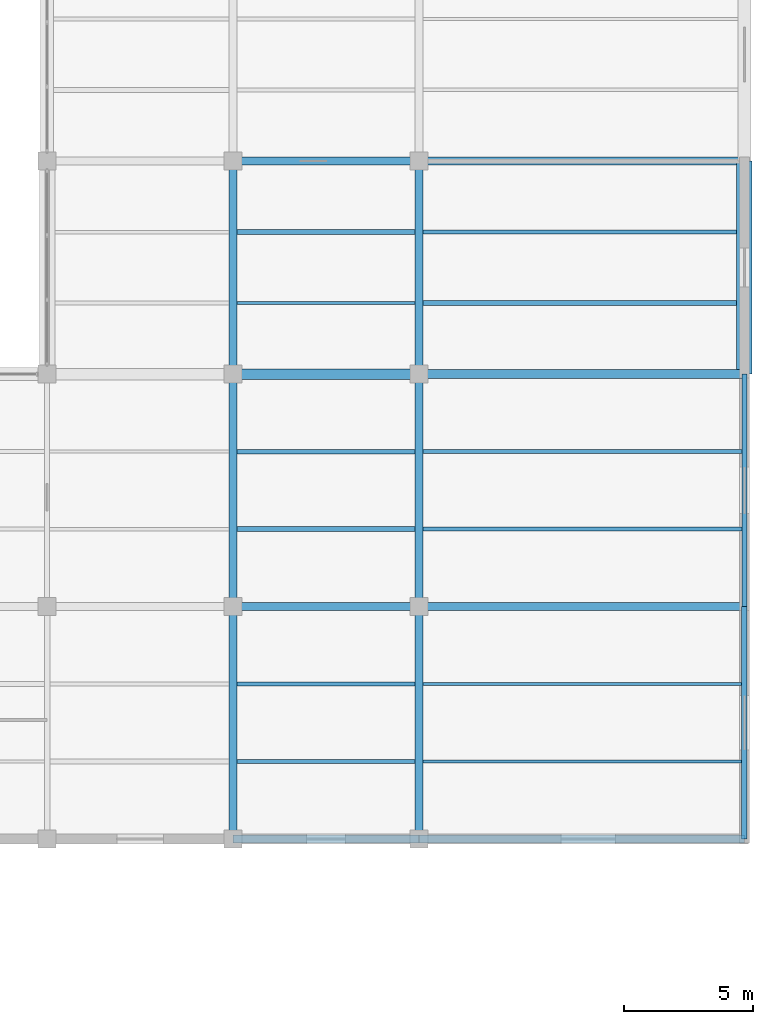
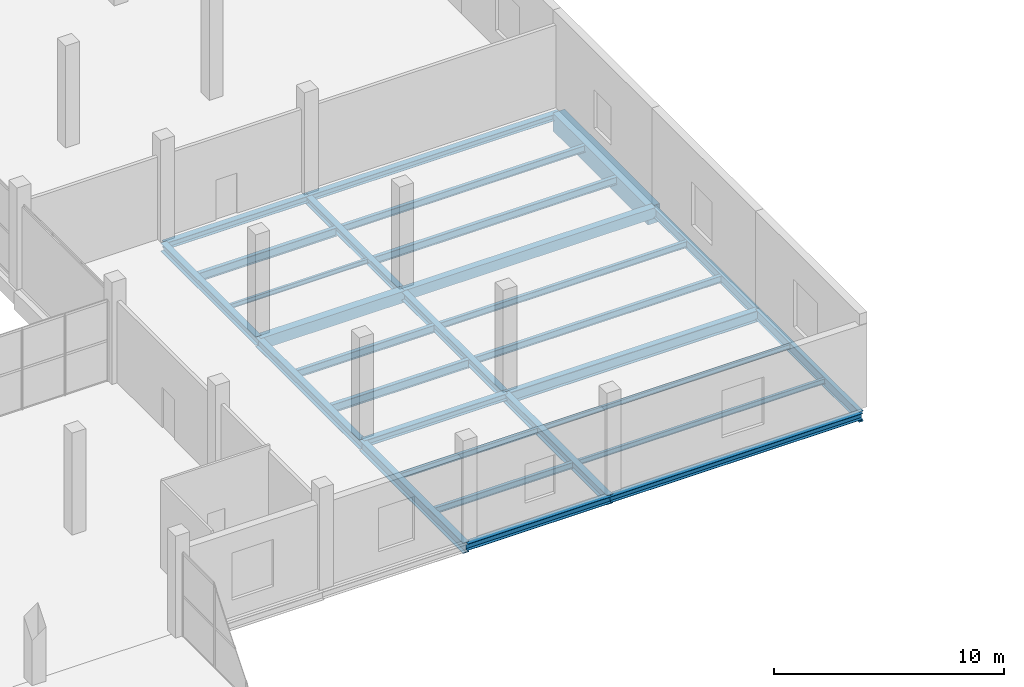
# One storey, part 106 of 147: 29 beams.
"""IFC4 building model written with IfcOpenShell, lengths in metres."""

from ifc_helpers import new_model, si_unit, direction, frame, origin, origin_2d, place, context, subcontext, project, spatial, rectangle, i_section, extrude, material, material_profile, profile_set, type_object, element, save


model = new_model("IFC4")

# Units and contexts
model_context = context("Model", 3, precision=1e-05, world=origin(), true_north=direction((0.0, 1.0)))
body_context = subcontext(model_context, "Body", "Model", "MODEL_VIEW")
ifc_project = project(units=[si_unit("LENGTHUNIT", "METRE"), si_unit("AREAUNIT", "SQUARE_METRE"), si_unit("VOLUMEUNIT", "CUBIC_METRE"), si_unit("PLANEANGLEUNIT", "RADIAN"), si_unit("MASSUNIT", "GRAM", prefix="KILO")], contexts=[model_context])

# Site, building, storey
site_placement = place(None, origin())
site = spatial("IfcSite", under=ifc_project, at=site_placement, CompositionType="ELEMENT")
building_placement = place(site_placement, origin())
building = spatial("IfcBuilding", under=site, at=building_placement, Name="Sundgate Opera House", CompositionType="ELEMENT")
storey_placement = place(building_placement, frame((0.0, 0.0, 6.0)))
storey = spatial("IfcBuildingStorey", under=building, at=storey_placement, Name="L01", CompositionType="ELEMENT", Elevation=6.0)

# Beams
ifc_material_1 = material(Name="Steel S355J2", Category="steel")
ifc_material_profile_1 = material_profile(ifc_material_1, i_section(OverallWidth=0.300048828125, OverallDepth=0.330078125, WebThickness=0.009521484375, FlangeThickness=0.0166015625, at=origin_2d()), Name="HEA 340")
ifc_profile_set_1 = profile_set([ifc_material_profile_1], Name="Steel S355J2")
beam_type_1 = type_object("IfcBeamType", Name="BM-GR-HEA340", PredefinedType="BEAM", material=ifc_profile_set_1)
for number, where, z_axis, x_axis, name in (
    (1, (167.39990234375, 69.0, -0.465087890625), (1.0, 0.0, 0.0), (0.0, 1.0, 0.0), "L01 Primary E-W Girder B1371"),
    (2, (167.39990234375, 95.25, -0.465087890625), (1.0, 0.0, 0.0), (0.0, 1.0, 0.0), "L01 Primary E-W Girder B1415"),
):
    element("IfcBeam", number, at=place(storey_placement, frame(where, z_axis=z_axis, x_axis=x_axis)), inside=storey, type_object=beam_type_1, Name=name, PredefinedType="BEAM", context=body_context, shape_type="SweptSolid", body=[
        extrude(i_section(OverallWidth=0.300048828125, OverallDepth=0.330078125, WebThickness=0.009521484375, FlangeThickness=0.0166015625, at=origin_2d()), origin(), (0.0, 0.0, 1.0), 12.60009765625),
    ])
ifc_material_2 = material(Name="Steel S355J2", Category="steel")
ifc_material_profile_2 = material_profile(ifc_material_2, i_section(OverallWidth=0.300048828125, OverallDepth=0.35009765625, WebThickness=0.010009765625, FlangeThickness=0.017578125, at=origin_2d()), Name="HEA 360")
ifc_profile_set_2 = profile_set([ifc_material_profile_2], Name="Steel S355J2")
beam_type_2 = type_object("IfcBeamType", Name="BM-GR-HEA360", PredefinedType="BEAM", material=ifc_profile_set_2)
for number, where, z_axis, x_axis, name in (
    (3, (160.199951171875, 69.0, -0.47509765625), (1.0, 0.0, 0.0), (0.0, 1.0, 0.0), "L01 Primary E-W Girder B1370"),
    (4, (160.199951171875, 95.25, -0.47509765625), (1.0, 0.0, 0.0), (0.0, 1.0, 0.0), "L01 Primary E-W Girder B1414"),
):
    element("IfcBeam", number, at=place(storey_placement, frame(where, z_axis=z_axis, x_axis=x_axis)), inside=storey, type_object=beam_type_2, Name=name, PredefinedType="BEAM", context=body_context, shape_type="SweptSolid", body=[
        extrude(i_section(OverallWidth=0.300048828125, OverallDepth=0.35009765625, WebThickness=0.010009765625, FlangeThickness=0.017578125, at=origin_2d()), origin(), (0.0, 0.0, 1.0), 7.199951171875),
    ])
ifc_material_3 = material(Name="Steel S355J2", Category="steel")
ifc_material_profile_3 = material_profile(ifc_material_3, i_section(OverallWidth=0.300048828125, OverallDepth=0.389892578125, WebThickness=0.010986328125, FlangeThickness=0.01904296875, at=origin_2d()), Name="HEA 400")
ifc_profile_set_3 = profile_set([ifc_material_profile_3], Name="Steel S355J2")
beam_type_3 = type_object("IfcBeamType", Name="BM-GR-HEA400", PredefinedType="BEAM", material=ifc_profile_set_3)
beam_1_placement = place(storey_placement, frame((167.39990234375, 87.0, -0.4951171875), z_axis=(0.0, 1.0, 0.0), x_axis=(-1.0, 0.0, 0.0)))
element("IfcBeam", 5, at=beam_1_placement, inside=storey, type_object=beam_type_3, Name="L01 Primary N-S Girder B1259", PredefinedType="BEAM", context=body_context, shape_type="SweptSolid", body=[
    extrude(i_section(OverallWidth=0.300048828125, OverallDepth=0.389892578125, WebThickness=0.010986328125, FlangeThickness=0.01904296875, at=origin_2d()), origin(), (0.0, 0.0, 1.0), 8.25),
])
ifc_material_4 = material(Name="Steel S355J2", Category="steel")
ifc_material_profile_4 = material_profile(ifc_material_4, i_section(OverallWidth=0.300048828125, OverallDepth=0.43994140625, WebThickness=0.011474609375, FlangeThickness=0.02099609375, at=origin_2d()), Name="HEA 450")
ifc_profile_set_4 = profile_set([ifc_material_profile_4], Name="Steel S355J2")
beam_type_4 = type_object("IfcBeamType", Name="BM-GR-HEA450", PredefinedType="BEAM", material=ifc_profile_set_4)
beam_2_placement = place(storey_placement, frame((167.39990234375, 78.0, -0.52001953125), z_axis=(0.0, 1.0, 0.0), x_axis=(-1.0, 0.0, 0.0)))
element("IfcBeam", 6, at=beam_2_placement, inside=storey, type_object=beam_type_4, Name="L01 Primary N-S Girder B1258", PredefinedType="BEAM", context=body_context, shape_type="SweptSolid", body=[
    extrude(i_section(OverallWidth=0.300048828125, OverallDepth=0.43994140625, WebThickness=0.011474609375, FlangeThickness=0.02099609375, at=origin_2d()), origin(), (0.0, 0.0, 1.0), 9.0),
])
ifc_material_5 = material(Name="Steel S355J2", Category="steel")
ifc_material_profile_5 = material_profile(ifc_material_5, i_section(OverallWidth=0.300048828125, OverallDepth=0.489990234375, WebThickness=0.011962890625, FlangeThickness=0.02294921875, at=origin_2d()), Name="HEA 500")
ifc_profile_set_5 = profile_set([ifc_material_profile_5], Name="Steel S355J2")
beam_type_5 = type_object("IfcBeamType", Name="BM-GR-HEA500", PredefinedType="BEAM", material=ifc_profile_set_5)
beam_3_placement = place(storey_placement, frame((167.39990234375, 69.0, -0.544921875), z_axis=(0.0, 1.0, 0.0), x_axis=(-1.0, 0.0, 0.0)))
element("IfcBeam", 7, at=beam_3_placement, inside=storey, type_object=beam_type_5, Name="L01 Primary N-S Girder B1257", PredefinedType="BEAM", context=body_context, shape_type="SweptSolid", body=[
    extrude(i_section(OverallWidth=0.300048828125, OverallDepth=0.489990234375, WebThickness=0.011962890625, FlangeThickness=0.02294921875, at=origin_2d()), origin(), (0.0, 0.0, 1.0), 9.0),
])
ifc_material_6 = material(Name="Steel S355J2", Category="steel")
ifc_material_profile_6 = material_profile(ifc_material_6, i_section(OverallWidth=0.300048828125, OverallDepth=0.590087890625, WebThickness=0.012939453125, FlangeThickness=0.02490234375, at=origin_2d()), Name="HEA 600")
ifc_profile_set_6 = profile_set([ifc_material_profile_6], Name="Steel S355J2")
beam_type_6 = type_object("IfcBeamType", Name="BM-GR-HEA600", PredefinedType="BEAM", material=ifc_profile_set_6)
beam_4_placement = place(storey_placement, frame((167.39990234375, 78.0, -0.594970703125), z_axis=(1.0, 0.0, 0.0), x_axis=(0.0, 1.0, 0.0)))
element("IfcBeam", 8, at=beam_4_placement, inside=storey, type_object=beam_type_6, Name="L01 Primary E-W Girder B1388", PredefinedType="BEAM", context=body_context, shape_type="SweptSolid", body=[
    extrude(i_section(OverallWidth=0.300048828125, OverallDepth=0.590087890625, WebThickness=0.012939453125, FlangeThickness=0.02490234375, at=origin_2d()), origin(), (0.0, 0.0, 1.0), 12.60009765625),
])
ifc_material_7 = material(Name="Steel S355J2", Category="steel")
ifc_material_profile_7 = material_profile(ifc_material_7, i_section(OverallWidth=0.300048828125, OverallDepth=0.360107421875, WebThickness=0.012451171875, FlangeThickness=0.0224609375, at=origin_2d()), Name="HEB 360")
ifc_profile_set_7 = profile_set([ifc_material_profile_7], Name="Steel S355J2")
beam_type_7 = type_object("IfcBeamType", Name="BM-GR-HEB360", PredefinedType="BEAM", material=ifc_profile_set_7)
beam_5_placement = place(storey_placement, frame((160.199951171875, 78.0, -0.47998046875), z_axis=(1.0, 0.0, 0.0), x_axis=(0.0, 1.0, 0.0)))
element("IfcBeam", 9, at=beam_5_placement, inside=storey, type_object=beam_type_7, Name="L01 Primary E-W Girder B1387", PredefinedType="BEAM", context=body_context, shape_type="SweptSolid", body=[
    extrude(i_section(OverallWidth=0.300048828125, OverallDepth=0.360107421875, WebThickness=0.012451171875, FlangeThickness=0.0224609375, at=origin_2d()), origin(), (0.0, 0.0, 1.0), 7.199951171875),
])
ifc_material_8 = material(Name="Steel S355J2", Category="steel")
ifc_material_profile_8 = material_profile(ifc_material_8, i_section(OverallWidth=0.300048828125, OverallDepth=0.449951171875, WebThickness=0.013916015625, FlangeThickness=0.02587890625, at=origin_2d()), Name="HEB 450")
ifc_profile_set_8 = profile_set([ifc_material_profile_8], Name="Steel S355J2")
beam_type_8 = type_object("IfcBeamType", Name="BM-GR-HEB450", PredefinedType="BEAM", material=ifc_profile_set_8)
beam_6_placement = place(storey_placement, frame((160.199951171875, 87.0, -0.52490234375), z_axis=(0.0, 1.0, 0.0), x_axis=(-1.0, 0.0, 0.0)))
element("IfcBeam", 10, at=beam_6_placement, inside=storey, type_object=beam_type_8, Name="L01 Primary N-S Girder B1253", PredefinedType="BEAM", context=body_context, shape_type="SweptSolid", body=[
    extrude(i_section(OverallWidth=0.300048828125, OverallDepth=0.449951171875, WebThickness=0.013916015625, FlangeThickness=0.02587890625, at=origin_2d()), origin(), (0.0, 0.0, 1.0), 8.25),
])
ifc_material_9 = material(Name="Steel S355J2", Category="steel")
ifc_material_profile_9 = material_profile(ifc_material_9, i_section(OverallWidth=0.300048828125, OverallDepth=0.5, WebThickness=0.014404296875, FlangeThickness=0.028076171875, at=origin_2d()), Name="HEB 500")
ifc_profile_set_9 = profile_set([ifc_material_profile_9], Name="Steel S355J2")
beam_type_9 = type_object("IfcBeamType", Name="BM-GR-HEB500", PredefinedType="BEAM", material=ifc_profile_set_9)
beam_7_placement = place(storey_placement, frame((160.199951171875, 78.0, -0.550048828125), z_axis=(0.0, 1.0, 0.0), x_axis=(-1.0, 0.0, 0.0)))
element("IfcBeam", 11, at=beam_7_placement, inside=storey, type_object=beam_type_9, Name="L01 Primary N-S Girder B1252", PredefinedType="BEAM", context=body_context, shape_type="SweptSolid", body=[
    extrude(i_section(OverallWidth=0.300048828125, OverallDepth=0.5, WebThickness=0.014404296875, FlangeThickness=0.028076171875, at=origin_2d()), origin(), (0.0, 0.0, 1.0), 9.0),
])
ifc_material_10 = material(Name="Steel S355J2", Category="steel")
ifc_material_profile_10 = material_profile(ifc_material_10, i_section(OverallWidth=0.300048828125, OverallDepth=0.550048828125, WebThickness=0.014892578125, FlangeThickness=0.029052734375, at=origin_2d()), Name="HEB 550")
ifc_profile_set_10 = profile_set([ifc_material_profile_10], Name="Steel S355J2")
beam_type_10 = type_object("IfcBeamType", Name="BM-GR-HEB550", PredefinedType="BEAM", material=ifc_profile_set_10)
beam_8_placement = place(storey_placement, frame((160.199951171875, 69.0, -0.574951171875), z_axis=(0.0, 1.0, 0.0), x_axis=(-1.0, 0.0, 0.0)))
element("IfcBeam", 12, at=beam_8_placement, inside=storey, type_object=beam_type_10, Name="L01 Primary N-S Girder B1251", PredefinedType="BEAM", context=body_context, shape_type="SweptSolid", body=[
    extrude(i_section(OverallWidth=0.300048828125, OverallDepth=0.550048828125, WebThickness=0.014892578125, FlangeThickness=0.029052734375, at=origin_2d()), origin(), (0.0, 0.0, 1.0), 9.0),
])
ifc_material_11 = material(Name="Steel S355J2", Category="steel")
ifc_material_profile_11 = material_profile(ifc_material_11, i_section(OverallWidth=0.199951171875, OverallDepth=0.5, WebThickness=0.01025390625, FlangeThickness=0.01611328125, at=origin_2d()), Name="IPE 500")
ifc_profile_set_11 = profile_set([ifc_material_profile_11], Name="Steel S355J2")
beam_type_11 = type_object("IfcBeamType", Name="BM-GR-IPE500", PredefinedType="BEAM", material=ifc_profile_set_11)
beam_9_placement = place(storey_placement, frame((180.0, 78.0, -0.550048828125), z_axis=(0.0, 1.0, 0.0), x_axis=(-1.0, 0.0, 0.0)))
element("IfcBeam", 13, at=beam_9_placement, inside=storey, type_object=beam_type_11, Name="L01 Primary N-S Girder B1264", PredefinedType="BEAM", context=body_context, shape_type="SweptSolid", body=[
    extrude(i_section(OverallWidth=0.199951171875, OverallDepth=0.5, WebThickness=0.01025390625, FlangeThickness=0.01611328125, at=origin_2d()), origin(), (0.0, 0.0, 1.0), 9.0),
])
ifc_material_12 = material(Name="Steel S355J2", Category="steel")
ifc_material_profile_12 = material_profile(ifc_material_12, i_section(OverallWidth=0.2099609375, OverallDepth=0.550048828125, WebThickness=0.010986328125, FlangeThickness=0.01708984375, at=origin_2d()), Name="IPE 550")
ifc_profile_set_12 = profile_set([ifc_material_profile_12], Name="Steel S355J2")
beam_type_12 = type_object("IfcBeamType", Name="BM-GR-IPE550", PredefinedType="BEAM", material=ifc_profile_set_12)
beam_10_placement = place(storey_placement, frame((180.0, 69.0, -0.574951171875), z_axis=(0.0, 1.0, 0.0), x_axis=(-1.0, 0.0, 0.0)))
element("IfcBeam", 14, at=beam_10_placement, inside=storey, type_object=beam_type_12, Name="L01 Primary N-S Girder B1263", PredefinedType="BEAM", context=body_context, shape_type="SweptSolid", body=[
    extrude(i_section(OverallWidth=0.2099609375, OverallDepth=0.550048828125, WebThickness=0.010986328125, FlangeThickness=0.01708984375, at=origin_2d()), origin(), (0.0, 0.0, 1.0), 9.0),
])
ifc_material_13 = material(Name="Steel S355J2", Category="steel")
ifc_material_profile_13 = material_profile(ifc_material_13, i_section(OverallWidth=0.1201171875, OverallDepth=0.239990234375, WebThickness=0.006103515625, FlangeThickness=0.009765625, at=origin_2d()), Name="IPE 240")
ifc_profile_set_13 = profile_set([ifc_material_profile_13], Name="Steel S355J2")
beam_type_13 = type_object("IfcBeamType", Name="BM-JS-IPE240", PredefinedType="JOIST", material=ifc_profile_set_13)
beam_11_placement = place(storey_placement, frame((167.550048828125, 75.0, -0.419921875), z_axis=(1.0, 0.0, 0.0), x_axis=(0.0, 1.0, 0.0)))
element("IfcBeam", 15, at=beam_11_placement, inside=storey, type_object=beam_type_13, Name="L01 Secondary Floor Joist B1637", PredefinedType="JOIST", context=body_context, shape_type="SweptSolid", body=[
    extrude(i_section(OverallWidth=0.1201171875, OverallDepth=0.239990234375, WebThickness=0.006103515625, FlangeThickness=0.009765625, at=origin_2d()), origin(), (0.0, 0.0, 1.0), 12.344970703125),
])
beam_12_placement = place(storey_placement, frame((160.35009765625, 89.75, -0.419921875), z_axis=(1.0, 0.0, 0.0), x_axis=(0.0, 1.0, 0.0)))
element("IfcBeam", 16, at=beam_12_placement, inside=storey, type_object=beam_type_13, Name="L01 Secondary Floor Joist B1672", PredefinedType="JOIST", context=body_context, shape_type="SweptSolid", body=[
    extrude(i_section(OverallWidth=0.1201171875, OverallDepth=0.239990234375, WebThickness=0.006103515625, FlangeThickness=0.009765625, at=origin_2d()), origin(), (0.0, 0.0, 1.0), 6.89990234375),
])
ifc_material_14 = material(Name="Steel S355J2", Category="steel")
ifc_material_profile_14 = material_profile(ifc_material_14, i_section(OverallWidth=0.135009765625, OverallDepth=0.27001953125, WebThickness=0.006591796875, FlangeThickness=0.01025390625, at=origin_2d()), Name="IPE 270")
ifc_profile_set_14 = profile_set([ifc_material_profile_14], Name="Steel S355J2")
beam_type_14 = type_object("IfcBeamType", Name="BM-JS-IPE270", PredefinedType="JOIST", material=ifc_profile_set_14)
beam_13_placement = place(storey_placement, frame((167.550048828125, 72.0, -0.43505859375), z_axis=(1.0, 0.0, 0.0), x_axis=(0.0, 1.0, 0.0)))
element("IfcBeam", 17, at=beam_13_placement, inside=storey, type_object=beam_type_14, Name="L01 Secondary Floor Joist B1636", PredefinedType="JOIST", context=body_context, shape_type="SweptSolid", body=[
    extrude(i_section(OverallWidth=0.135009765625, OverallDepth=0.27001953125, WebThickness=0.006591796875, FlangeThickness=0.01025390625, at=origin_2d()), origin(), (0.0, 0.0, 1.0), 12.344970703125),
])
ifc_material_15 = material(Name="Steel S355J2", Category="steel")
ifc_material_profile_15 = material_profile(ifc_material_15, i_section(OverallWidth=0.14990234375, OverallDepth=0.300048828125, WebThickness=0.007080078125, FlangeThickness=0.0107421875, at=origin_2d()), Name="IPE 300")
ifc_profile_set_15 = profile_set([ifc_material_profile_15], Name="Steel S355J2")
beam_type_15 = type_object("IfcBeamType", Name="BM-JS-IPE300", PredefinedType="JOIST", material=ifc_profile_set_15)
beam_14_placement = place(storey_placement, frame((160.35009765625, 75.0, -0.449951171875), z_axis=(1.0, 0.0, 0.0), x_axis=(0.0, 1.0, 0.0)))
element("IfcBeam", 18, at=beam_14_placement, inside=storey, type_object=beam_type_15, Name="L01 Secondary Floor Joist B1635", PredefinedType="JOIST", context=body_context, shape_type="SweptSolid", body=[
    extrude(i_section(OverallWidth=0.14990234375, OverallDepth=0.300048828125, WebThickness=0.007080078125, FlangeThickness=0.0107421875, at=origin_2d()), origin(), (0.0, 0.0, 1.0), 6.89990234375),
])
ifc_material_16 = material(Name="Steel S355J2", Category="steel")
ifc_material_profile_16 = material_profile(ifc_material_16, i_section(OverallWidth=0.159912109375, OverallDepth=0.330078125, WebThickness=0.007568359375, FlangeThickness=0.011474609375, at=origin_2d()), Name="IPE 330")
ifc_profile_set_16 = profile_set([ifc_material_profile_16], Name="Steel S355J2")
beam_type_16 = type_object("IfcBeamType", Name="BM-JS-IPE330", PredefinedType="JOIST", material=ifc_profile_set_16)
beam_15_placement = place(storey_placement, frame((160.35009765625, 72.0, -0.465087890625), z_axis=(1.0, 0.0, 0.0), x_axis=(0.0, 1.0, 0.0)))
element("IfcBeam", 19, at=beam_15_placement, inside=storey, type_object=beam_type_16, Name="L01 Secondary Floor Joist B1634", PredefinedType="JOIST", context=body_context, shape_type="SweptSolid", body=[
    extrude(i_section(OverallWidth=0.159912109375, OverallDepth=0.330078125, WebThickness=0.007568359375, FlangeThickness=0.011474609375, at=origin_2d()), origin(), (0.0, 0.0, 1.0), 6.89990234375),
])
beam_16_placement = place(storey_placement, frame((167.550048828125, 84.0, -0.465087890625), z_axis=(1.0, 0.0, 0.0), x_axis=(0.0, 1.0, 0.0)))
element("IfcBeam", 20, at=beam_16_placement, inside=storey, type_object=beam_type_16, Name="L01 Secondary Floor Joist B1662", PredefinedType="JOIST", context=body_context, shape_type="SweptSolid", body=[
    extrude(i_section(OverallWidth=0.159912109375, OverallDepth=0.330078125, WebThickness=0.007568359375, FlangeThickness=0.011474609375, at=origin_2d()), origin(), (0.0, 0.0, 1.0), 12.349853515625),
])
ifc_material_17 = material(Name="Steel S355J2", Category="steel")
ifc_material_profile_17 = material_profile(ifc_material_17, i_section(OverallWidth=0.169921875, OverallDepth=0.360107421875, WebThickness=0.008056640625, FlangeThickness=0.0126953125, at=origin_2d()), Name="IPE 360")
ifc_profile_set_17 = profile_set([ifc_material_profile_17], Name="Steel S355J2")
beam_type_17 = type_object("IfcBeamType", Name="BM-JS-IPE360", PredefinedType="JOIST", material=ifc_profile_set_17)
beam_17_placement = place(storey_placement, frame((167.550048828125, 81.0, -0.47998046875), z_axis=(1.0, 0.0, 0.0), x_axis=(0.0, 1.0, 0.0)))
element("IfcBeam", 21, at=beam_17_placement, inside=storey, type_object=beam_type_17, Name="L01 Secondary Floor Joist B1661", PredefinedType="JOIST", context=body_context, shape_type="SweptSolid", body=[
    extrude(i_section(OverallWidth=0.169921875, OverallDepth=0.360107421875, WebThickness=0.008056640625, FlangeThickness=0.0126953125, at=origin_2d()), origin(), (0.0, 0.0, 1.0), 12.349853515625),
])
beam_18_placement = place(storey_placement, frame((167.550048828125, 92.5, -0.47998046875), z_axis=(1.0, 0.0, 0.0), x_axis=(0.0, 1.0, 0.0)))
element("IfcBeam", 22, at=beam_18_placement, inside=storey, type_object=beam_type_17, Name="L01 Secondary Floor Joist B1675", PredefinedType="JOIST", context=body_context, shape_type="SweptSolid", body=[
    extrude(i_section(OverallWidth=0.169921875, OverallDepth=0.360107421875, WebThickness=0.008056640625, FlangeThickness=0.0126953125, at=origin_2d()), origin(), (0.0, 0.0, 1.0), 12.14990234375),
])
ifc_material_18 = material(Name="Steel S355J2", Category="steel")
ifc_material_profile_18 = material_profile(ifc_material_18, i_section(OverallWidth=0.179931640625, OverallDepth=0.39990234375, WebThickness=0.008544921875, FlangeThickness=0.013427734375, at=origin_2d()), Name="IPE 400")
ifc_profile_set_18 = profile_set([ifc_material_profile_18], Name="Steel S355J2")
beam_type_18 = type_object("IfcBeamType", Name="BM-JS-IPE400", PredefinedType="JOIST", material=ifc_profile_set_18)
beam_19_placement = place(storey_placement, frame((160.35009765625, 84.0, -0.5), z_axis=(1.0, 0.0, 0.0), x_axis=(0.0, 1.0, 0.0)))
element("IfcBeam", 23, at=beam_19_placement, inside=storey, type_object=beam_type_18, Name="L01 Secondary Floor Joist B1660", PredefinedType="JOIST", context=body_context, shape_type="SweptSolid", body=[
    extrude(i_section(OverallWidth=0.179931640625, OverallDepth=0.39990234375, WebThickness=0.008544921875, FlangeThickness=0.013427734375, at=origin_2d()), origin(), (0.0, 0.0, 1.0), 6.89990234375),
])
beam_20_placement = place(storey_placement, frame((167.550048828125, 89.75, -0.5), z_axis=(1.0, 0.0, 0.0), x_axis=(0.0, 1.0, 0.0)))
element("IfcBeam", 24, at=beam_20_placement, inside=storey, type_object=beam_type_18, Name="L01 Secondary Floor Joist B1674", PredefinedType="JOIST", context=body_context, shape_type="SweptSolid", body=[
    extrude(i_section(OverallWidth=0.179931640625, OverallDepth=0.39990234375, WebThickness=0.008544921875, FlangeThickness=0.013427734375, at=origin_2d()), origin(), (0.0, 0.0, 1.0), 12.14990234375),
])
ifc_material_19 = material(Name="Steel S355J2", Category="steel")
ifc_material_profile_19 = material_profile(ifc_material_19, i_section(OverallWidth=0.18994140625, OverallDepth=0.449951171875, WebThickness=0.009521484375, FlangeThickness=0.0146484375, at=origin_2d()), Name="IPE 450")
ifc_profile_set_19 = profile_set([ifc_material_profile_19], Name="Steel S355J2")
beam_type_19 = type_object("IfcBeamType", Name="BM-JS-IPE450", PredefinedType="JOIST", material=ifc_profile_set_19)
for number, where, z_axis, x_axis, name in (
    (25, (160.35009765625, 81.0, -0.52490234375), (1.0, 0.0, 0.0), (0.0, 1.0, 0.0), "L01 Secondary Floor Joist B1659"),
    (26, (160.35009765625, 92.5, -0.52490234375), (1.0, 0.0, 0.0), (0.0, 1.0, 0.0), "L01 Secondary Floor Joist B1673"),
):
    element("IfcBeam", number, at=place(storey_placement, frame(where, z_axis=z_axis, x_axis=x_axis)), inside=storey, type_object=beam_type_19, Name=name, PredefinedType="JOIST", context=body_context, shape_type="SweptSolid", body=[
        extrude(i_section(OverallWidth=0.18994140625, OverallDepth=0.449951171875, WebThickness=0.009521484375, FlangeThickness=0.0146484375, at=origin_2d()), origin(), (0.0, 0.0, 1.0), 6.89990234375),
    ])
ifc_material_20 = material(Name="Concrete C35/45", Category="concrete")
ifc_material_profile_20 = material_profile(ifc_material_20, rectangle(XDim=0.35009765625, YDim=0.550048828125, at=origin_2d()), Name="RC 350x550")
ifc_profile_set_20 = profile_set([ifc_material_profile_20], Name="Concrete C35/45")
beam_type_20 = type_object("IfcBeamType", Name="BM-RC-350x550", PredefinedType="BEAM", material=ifc_profile_set_20)
beam_21_placement = place(storey_placement, frame((167.39990234375, 87.0, -0.574951171875), z_axis=(1.0, 0.0, 0.0), x_axis=(0.0, 1.0, 0.0)))
element("IfcBeam", 27, at=beam_21_placement, inside=storey, type_object=beam_type_20, Name="L01 Primary E-W Girder B1401", PredefinedType="BEAM", context=body_context, shape_type="SweptSolid", body=[
    extrude(rectangle(XDim=0.35009765625, YDim=0.550048828125, at=origin_2d()), origin(), (0.0, 0.0, 1.0), 12.60009765625),
])
ifc_material_21 = material(Name="Concrete C35/45", Category="concrete")
ifc_material_profile_21 = material_profile(ifc_material_21, rectangle(XDim=0.39990234375, YDim=0.60009765625, at=origin_2d()), Name="RC 400x600")
ifc_profile_set_21 = profile_set([ifc_material_profile_21], Name="Concrete C35/45")
beam_type_21 = type_object("IfcBeamType", Name="BM-RC-400x600", PredefinedType="BEAM", material=ifc_profile_set_21)
beam_22_placement = place(storey_placement, frame((160.199951171875, 87.0, -0.60009765625), z_axis=(1.0, 0.0, 0.0), x_axis=(0.0, 1.0, 0.0)))
element("IfcBeam", 28, at=beam_22_placement, inside=storey, type_object=beam_type_21, Name="L01 Primary E-W Girder B1400", PredefinedType="BEAM", context=body_context, shape_type="SweptSolid", body=[
    extrude(rectangle(XDim=0.39990234375, YDim=0.60009765625, at=origin_2d()), origin(), (0.0, 0.0, 1.0), 7.199951171875),
])
ifc_material_22 = material(Name="Concrete C40/50", Category="concrete")
ifc_material_profile_22 = material_profile(ifc_material_22, rectangle(XDim=0.60009765625, YDim=0.949951171875, at=origin_2d()), Name="RC 600x950")
ifc_profile_set_22 = profile_set([ifc_material_profile_22], Name="Concrete C40/50")
beam_type_22 = type_object("IfcBeamType", Name="BM-RC-600x950", PredefinedType="BEAM", material=ifc_profile_set_22)
beam_23_placement = place(storey_placement, frame((180.0, 87.0, -0.77490234375), z_axis=(0.0, 1.0, 0.0), x_axis=(-1.0, 0.0, 0.0)))
element("IfcBeam", 29, at=beam_23_placement, inside=storey, type_object=beam_type_22, Name="L01 Primary N-S Girder B1265", PredefinedType="BEAM", context=body_context, shape_type="SweptSolid", body=[
    extrude(rectangle(XDim=0.60009765625, YDim=0.949951171875, at=origin_2d()), origin(), (0.0, 0.0, 1.0), 8.25),
])

save(model, "model.ifc")
